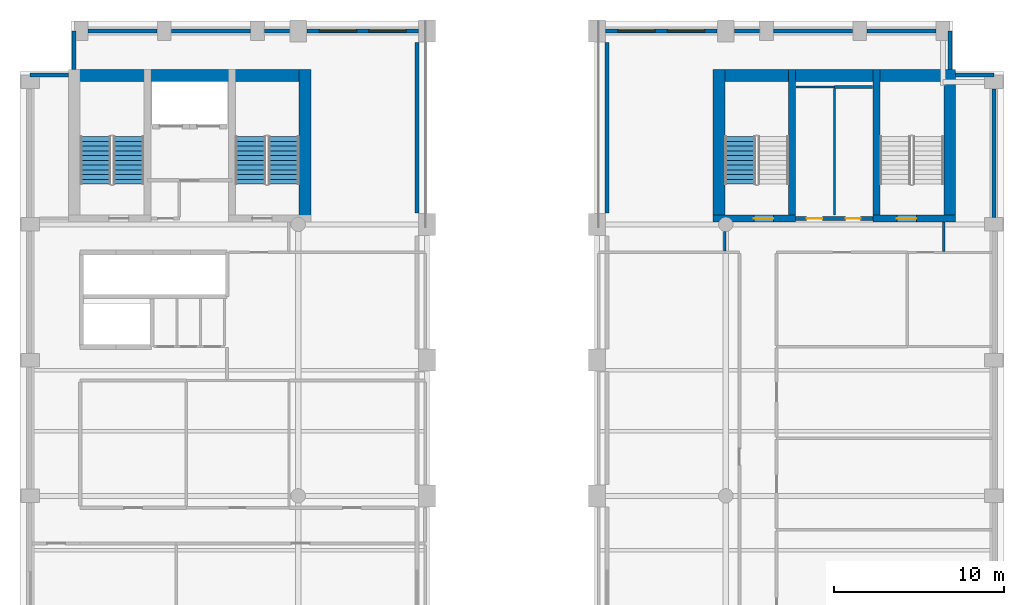
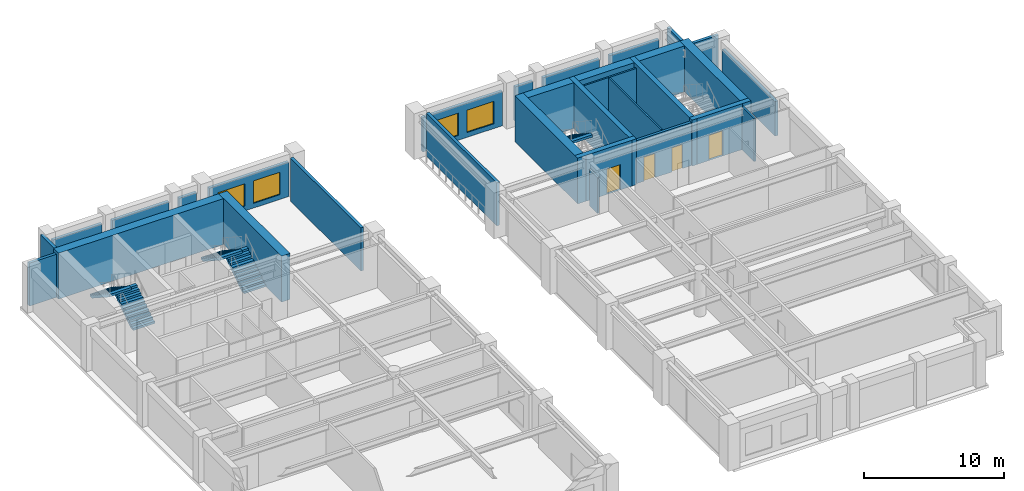
# One storey, part 5 of 8: 30 walls, 5 stair flights, 4 doors, 4 windows, 8 openings, 3 elements without a shape of their own.
"""IFC4 building model written with IfcOpenShell, lengths in metres."""

from ifc_helpers import new_model, si_unit, direction, frame, frame_2d, origin, place, context, subcontext, project, spatial, polyline, rectangle, outline, extrude, material, layer, layer_set, type_object, element, fill, aggregate, save


model = new_model("IFC4")

# Units and contexts
model_context = context("Model", 3, precision=1e-05, world=origin(), true_north=direction((0.0, 1.0)))
body_context = subcontext(model_context, "Body", "Model", "MODEL_VIEW")
ifc_project = project(units=[si_unit("LENGTHUNIT", "METRE"), si_unit("AREAUNIT", "SQUARE_METRE"), si_unit("VOLUMEUNIT", "CUBIC_METRE"), si_unit("PLANEANGLEUNIT", "RADIAN"), si_unit("MASSUNIT", "GRAM", prefix="KILO")], contexts=[model_context])

# Site, building, storey
site_placement = place(None, origin())
site = spatial("IfcSite", under=ifc_project, at=site_placement, CompositionType="ELEMENT")
building_placement = place(site_placement, origin())
building = spatial("IfcBuilding", under=site, at=building_placement, Name="Sulina Concourse Tower", CompositionType="ELEMENT")
storey_placement = place(building_placement, frame((0.0, 0.0, 186.60009765625)))
storey = spatial("IfcBuildingStorey", under=building, at=storey_placement, Name="L45", CompositionType="ELEMENT", Elevation=186.60009765625)

# Walls
ifc_material_1 = material(Name="Precast concrete C50/60", Category="concrete")
ifc_layer_1 = layer(ifc_material_1, 0.239990234375)
ifc_layer_set_1 = layer_set([ifc_layer_1], Name="Precast concrete C50/60")
wall_type_1 = type_object("IfcWallType", Name="Crown Precast Masonry-Frame Facade Wall 240mm", PredefinedType="SOLIDWALL", material=ifc_layer_set_1)
wall_1_placement = place(storey_placement, frame((4.02001953125, 45.39990234375, 0.0), z_axis=(0.0, 0.0, 1.0), x_axis=(1.0, 0.0, 0.0)))
element("IfcWall", 1, at=wall_1_placement, inside=storey, type_object=wall_type_1, Name="L45 exterior precast wall N1", PredefinedType="SOLIDWALL", context=body_context, shape_type="SweptSolid", body=[
    extrude(rectangle(XDim=4.06005859375, YDim=0.239990234375, at=frame_2d((2.030029296875, 0.0))), origin(), (0.0, 0.0, 1.0), 3.0),
])
wall_2_placement = place(storey_placement, frame((8.919921875, 45.39990234375, 0.0), z_axis=(0.0, 0.0, 1.0), x_axis=(1.0, 0.0, 0.0)))
element("IfcWall", 2, at=wall_2_placement, inside=storey, type_object=wall_type_1, Name="L45 exterior precast wall N2", PredefinedType="SOLIDWALL", context=body_context, shape_type="SweptSolid", body=[
    extrude(rectangle(XDim=4.66015625, YDim=0.239990234375, at=frame_2d((2.330078125, 0.0))), origin(), (0.0, 0.0, 1.0), 3.0),
])
wall_3_placement = place(storey_placement, frame((14.419921875, 45.39990234375, 0.0), z_axis=(0.0, 0.0, 1.0), x_axis=(1.0, 0.0, 0.0)))
element("IfcWall", 3, at=wall_3_placement, inside=storey, type_object=wall_type_1, Name="L45 exterior precast wall N3", PredefinedType="SOLIDWALL", context=body_context, shape_type="SweptSolid", body=[
    extrude(rectangle(XDim=1.4599609375, YDim=0.239990234375, at=frame_2d((0.72998046875, 0.0))), origin(), (0.0, 0.0, 1.0), 3.0),
])

# Wall, openings, windows
wall_4_placement = place(storey_placement, frame((16.919921875, 45.39990234375, 0.0), z_axis=(0.0, 0.0, 1.0), x_axis=(1.0, 0.0, 0.0)))
wall_4 = element("IfcWall", 4, at=wall_4_placement, inside=storey, type_object=wall_type_1, Name="L45 exterior precast wall N4", PredefinedType="SOLIDWALL", context=body_context, shape_type="SweptSolid", body=[
    extrude(rectangle(XDim=6.56005859375, YDim=0.239990234375, at=frame_2d((3.280029296875, 0.0))), origin(), (0.0, 0.0, 1.0), 3.0),
])
opening_1_placement = place(wall_4_placement, frame((0.719970703125, 0.0, 0.419921875)))
opening_1 = element("IfcOpeningElement", 5, at=opening_1_placement, cuts=wall_4, Name="Opening WN-76", PredefinedType="OPENING", context=body_context, shape_type="SweptSolid", body=[
    extrude(rectangle(XDim=2.199951171875, YDim=1.949951171875, at=frame_2d((1.10009765625, 0.97509765625))), frame((0.0, 0.1298828125, 0.0), z_axis=(0.0, -1.0, 0.0), x_axis=(1.0, 0.0, 0.0)), (0.0, 0.0, 1.0), 0.260009765625),
])
opening_2_placement = place(wall_4_placement, frame((3.639892578125, 0.0, 0.419921875)))
opening_2 = element("IfcOpeningElement", 6, at=opening_2_placement, cuts=wall_4, Name="Opening WN-76", PredefinedType="OPENING", context=body_context, shape_type="SweptSolid", body=[
    extrude(rectangle(XDim=2.199951171875, YDim=1.949951171875, at=frame_2d((1.10009765625, 0.97509765625))), frame((0.0, 0.1298828125, 0.0), z_axis=(0.0, -1.0, 0.0), x_axis=(1.0, 0.0, 0.0)), (0.0, 0.0, 1.0), 0.260009765625),
])
ifc_material_2 = material(Name="Low-E solar double glazing in bronze aluminium", Category="aluminium")
window_type = type_object("IfcWindowType", Name="Recessed Spandrel Window 2200x1950", PartitioningType="DOUBLE_PANEL_VERTICAL", PredefinedType="WINDOW", material=ifc_material_2)
window_1_placement = place(opening_1_placement, origin())
window_1 = element("IfcWindow", 7, at=window_1_placement, inside=storey, type_object=window_type, Name="L45 punched window N4-1", OverallHeight=1.949951171875, OverallWidth=2.199951171875, PartitioningType="SINGLE_PANEL", PredefinedType="WINDOW", context=body_context, shape_type="SweptSolid", body=[
    extrude(rectangle(XDim=2.199951171875, YDim=1.949951171875, at=frame_2d((1.10009765625, 0.97509765625))), frame((0.0, 0.030029296875, 0.0), z_axis=(0.0, -1.0, 0.0), x_axis=(1.0, 0.0, 0.0)), (0.0, 0.0, 1.0), 0.06005859375),
])
fill(opening_1, window_1)
window_2_placement = place(opening_2_placement, origin())
window_2 = element("IfcWindow", 8, at=window_2_placement, inside=storey, type_object=window_type, Name="L45 punched window N4-2", OverallHeight=1.949951171875, OverallWidth=2.199951171875, PartitioningType="SINGLE_PANEL", PredefinedType="WINDOW", context=body_context, shape_type="SweptSolid", body=[
    extrude(rectangle(XDim=2.199951171875, YDim=1.949951171875, at=frame_2d((1.10009765625, 0.97509765625))), frame((0.0, 0.030029296875, 0.0), z_axis=(0.0, -1.0, 0.0), x_axis=(1.0, 0.0, 0.0)), (0.0, 0.0, 1.0), 0.06005859375),
])
fill(opening_2, window_2)

wall_5_placement = place(storey_placement, frame((34.52001953125, 45.39990234375, 0.0), z_axis=(0.0, 0.0, 1.0), x_axis=(1.0, 0.0, 0.0)))
wall_5 = element("IfcWall", 9, at=wall_5_placement, inside=storey, type_object=wall_type_1, Name="L45 exterior precast wall N6", PredefinedType="SOLIDWALL", context=body_context, shape_type="SweptSolid", body=[
    extrude(rectangle(XDim=6.56005859375, YDim=0.239990234375, at=frame_2d((3.280029296875, 0.0))), origin(), (0.0, 0.0, 1.0), 3.0),
])
opening_3_placement = place(wall_5_placement, frame((0.719970703125, 0.0, 0.419921875)))
opening_3 = element("IfcOpeningElement", 10, at=opening_3_placement, cuts=wall_5, Name="Opening WN-76", PredefinedType="OPENING", context=body_context, shape_type="SweptSolid", body=[
    extrude(rectangle(XDim=2.199951171875, YDim=1.949951171875, at=frame_2d((1.10009765625, 0.97509765625))), frame((0.0, 0.1298828125, 0.0), z_axis=(0.0, -1.0, 0.0), x_axis=(1.0, 0.0, 0.0)), (0.0, 0.0, 1.0), 0.260009765625),
])
opening_4_placement = place(wall_5_placement, frame((3.639892578125, 0.0, 0.419921875)))
opening_4 = element("IfcOpeningElement", 11, at=opening_4_placement, cuts=wall_5, Name="Opening WN-76", PredefinedType="OPENING", context=body_context, shape_type="SweptSolid", body=[
    extrude(rectangle(XDim=2.199951171875, YDim=1.949951171875, at=frame_2d((1.10009765625, 0.97509765625))), frame((0.0, 0.1298828125, 0.0), z_axis=(0.0, -1.0, 0.0), x_axis=(1.0, 0.0, 0.0)), (0.0, 0.0, 1.0), 0.260009765625),
])
window_3_placement = place(opening_3_placement, origin())
window_3 = element("IfcWindow", 12, at=window_3_placement, inside=storey, type_object=window_type, Name="L45 punched window N6-1", OverallHeight=1.949951171875, OverallWidth=2.199951171875, PartitioningType="SINGLE_PANEL", PredefinedType="WINDOW", context=body_context, shape_type="SweptSolid", body=[
    extrude(rectangle(XDim=2.199951171875, YDim=1.949951171875, at=frame_2d((1.10009765625, 0.97509765625))), frame((0.0, 0.030029296875, 0.0), z_axis=(0.0, -1.0, 0.0), x_axis=(1.0, 0.0, 0.0)), (0.0, 0.0, 1.0), 0.06005859375),
])
fill(opening_3, window_3)
window_4_placement = place(opening_4_placement, origin())
window_4 = element("IfcWindow", 13, at=window_4_placement, inside=storey, type_object=window_type, Name="L45 punched window N6-2", OverallHeight=1.949951171875, OverallWidth=2.199951171875, PartitioningType="SINGLE_PANEL", PredefinedType="WINDOW", context=body_context, shape_type="SweptSolid", body=[
    extrude(rectangle(XDim=2.199951171875, YDim=1.949951171875, at=frame_2d((1.10009765625, 0.97509765625))), frame((0.0, 0.030029296875, 0.0), z_axis=(0.0, -1.0, 0.0), x_axis=(1.0, 0.0, 0.0)), (0.0, 0.0, 1.0), 0.06005859375),
])
fill(opening_4, window_4)

# Walls
wall_6_placement = place(storey_placement, frame((42.1201171875, 45.39990234375, 0.0), z_axis=(0.0, 0.0, 1.0), x_axis=(1.0, 0.0, 0.0)))
element("IfcWall", 14, at=wall_6_placement, inside=storey, type_object=wall_type_1, Name="L45 exterior precast wall N7", PredefinedType="SOLIDWALL", context=body_context, shape_type="SweptSolid", body=[
    extrude(rectangle(XDim=1.4599609375, YDim=0.239990234375, at=frame_2d((0.72998046875, 0.0))), origin(), (0.0, 0.0, 1.0), 3.0),
])
wall_7_placement = place(storey_placement, frame((44.419921875, 45.39990234375, 0.0), z_axis=(0.0, 0.0, 1.0), x_axis=(1.0, 0.0, 0.0)))
element("IfcWall", 15, at=wall_7_placement, inside=storey, type_object=wall_type_1, Name="L45 exterior precast wall N8", PredefinedType="SOLIDWALL", context=body_context, shape_type="SweptSolid", body=[
    extrude(rectangle(XDim=4.66015625, YDim=0.239990234375, at=frame_2d((2.330078125, 0.0))), origin(), (0.0, 0.0, 1.0), 3.0),
])
wall_8_placement = place(storey_placement, frame((49.919921875, 45.39990234375, 0.0), z_axis=(0.0, 0.0, 1.0), x_axis=(1.0, 0.0, 0.0)))
element("IfcWall", 16, at=wall_8_placement, inside=storey, type_object=wall_type_1, Name="L45 exterior precast wall N9", PredefinedType="SOLIDWALL", context=body_context, shape_type="SweptSolid", body=[
    extrude(rectangle(XDim=4.06005859375, YDim=0.239990234375, at=frame_2d((2.030029296875, 0.0))), origin(), (0.0, 0.0, 1.0), 3.0),
])
wall_9_placement = place(storey_placement, frame((57.39990234375, 41.97998046875, 0.0), z_axis=(0.0, 0.0, 1.0), x_axis=(0.0, -1.0, 0.0)))
element("IfcWall", 17, at=wall_9_placement, inside=storey, type_object=wall_type_1, Name="L45 exterior precast wall E5", PredefinedType="SOLIDWALL", context=body_context, shape_type="SweptSolid", body=[
    extrude(rectangle(XDim=7.56005859375, YDim=0.239990234375, at=frame_2d((3.780029296875, 0.0))), origin(), (0.0, 0.0, 1.0), 3.0),
])
wall_10_placement = place(storey_placement, frame((0.60009765625, 42.820068359375, 0.0), z_axis=(0.0, 0.0, 1.0), x_axis=(1.0, 0.0, 0.0)))
element("IfcWall", 18, at=wall_10_placement, inside=storey, type_object=wall_type_1, Name="L45 exterior precast wall CNW1", PredefinedType="SOLIDWALL", context=body_context, shape_type="SweptSolid", body=[
    extrude(rectangle(XDim=2.244873046875, YDim=0.239990234375, at=frame_2d((1.12255859375, 0.0))), origin(), (0.0, 0.0, 1.0), 3.75),
])
for number, where, z_axis, x_axis, name in (
    (19, (3.179931640625, 43.135009765625, 0.0), (0.0, 0.0, 1.0), (0.0, 1.0, 0.0), "L45 exterior precast wall CNW2"),
    (20, (54.820068359375, 45.39990234375, 0.0), (0.0, 0.0, 1.0), (0.0, -1.0, 0.0), "L45 exterior precast wall CNE1"),
):
    element("IfcWall", number, at=place(storey_placement, frame(where, z_axis=z_axis, x_axis=x_axis)), inside=storey, type_object=wall_type_1, Name=name, PredefinedType="SOLIDWALL", context=body_context, shape_type="SweptSolid", body=[
        extrude(rectangle(XDim=2.264892578125, YDim=0.239990234375, at=frame_2d((1.13232421875, 0.0))), origin(), (0.0, 0.0, 1.0), 3.75),
    ])
wall_11_placement = place(storey_placement, frame((55.155029296875, 42.820068359375, 0.0), z_axis=(0.0, 0.0, 1.0), x_axis=(1.0, 0.0, 0.0)))
element("IfcWall", 21, at=wall_11_placement, inside=storey, type_object=wall_type_1, Name="L45 exterior precast wall CNE2", PredefinedType="SOLIDWALL", context=body_context, shape_type="SweptSolid", body=[
    extrude(rectangle(XDim=2.244873046875, YDim=0.239990234375, at=frame_2d((1.12255859375, 0.0))), origin(), (0.0, 0.0, 1.0), 3.75),
])
for number, where, z_axis, x_axis, name in (
    (22, (23.39990234375, 44.72998046875, 0.0), (0.0, 0.0, 1.0), (0.0, -1.0, 0.0), "L45 exterior precast wall PW5"),
    (23, (34.60009765625, 34.669921875, 0.0), (0.0, 0.0, 1.0), (0.0, 1.0, 0.0), "L45 exterior precast wall PE5"),
):
    element("IfcWall", number, at=place(storey_placement, frame(where, z_axis=z_axis, x_axis=x_axis)), inside=storey, type_object=wall_type_1, Name=name, PredefinedType="SOLIDWALL", context=body_context, shape_type="SweptSolid", body=[
        extrude(rectangle(XDim=10.06005859375, YDim=0.239990234375, at=frame_2d((5.030029296875, 0.0))), origin(), (0.0, 0.0, 1.0), 3.75),
    ])

# Wall, openings, doors
ifc_material_3 = material(Name="Gypsum board on steel stud", Category="steel")
ifc_layer_2 = layer(ifc_material_3, 0.219970703125)
ifc_layer_set_2 = layer_set([ifc_layer_2], Name="Gypsum board on steel stud")
wall_type_2 = type_object("IfcWallType", Name="Fire-Rated Lobby & Compartment Wall 220mm", PredefinedType="PARTITIONING", material=ifc_layer_set_2)
wall_12_placement = place(storey_placement, frame((45.719970703125, 34.35009765625, 0.0), z_axis=(0.0, 0.0, 1.0), x_axis=(1.0, 0.0, 0.0)))
wall_12 = element("IfcWall", 24, at=wall_12_placement, inside=storey, type_object=wall_type_2, Name="L45 east core south lobby wall", PredefinedType="PARTITIONING", context=body_context, shape_type="SweptSolid", body=[
    extrude(rectangle(XDim=4.56005859375, YDim=0.219970703125, at=frame_2d((2.280029296875, 0.0))), origin(), (0.0, 0.0, 1.0), 3.75),
])
opening_5_placement = place(wall_12_placement, frame((0.64990234375, 0.0, 0.0)))
opening_5 = element("IfcOpeningElement", 25, at=opening_5_placement, cuts=wall_12, Name="Opening DR-61", PredefinedType="OPENING", context=body_context, shape_type="SweptSolid", body=[
    extrude(rectangle(XDim=0.919921875, YDim=2.10009765625, at=frame_2d((0.4599609375, 1.050048828125))), frame((0.0, 0.119873046875, 0.0), z_axis=(0.0, -1.0, 0.0), x_axis=(1.0, 0.0, 0.0)), (0.0, 0.0, 1.0), 0.239990234375),
])
opening_6_placement = place(wall_12_placement, frame((2.949951171875, 0.0, 0.0)))
opening_6 = element("IfcOpeningElement", 26, at=opening_6_placement, cuts=wall_12, Name="Opening DR-38", PredefinedType="OPENING", context=body_context, shape_type="SweptSolid", body=[
    extrude(rectangle(XDim=0.8798828125, YDim=2.10009765625, at=frame_2d((0.43994140625, 1.050048828125))), frame((0.0, 0.119873046875, 0.0), z_axis=(0.0, -1.0, 0.0), x_axis=(1.0, 0.0, 0.0)), (0.0, 0.0, 1.0), 0.239990234375),
])
ifc_material_4 = material(Name="Oak-veneered fire door leaf")
ifc_layer_3 = layer(ifc_material_4, 0.050048828125)
ifc_layer_set_3 = layer_set([ifc_layer_3], Name="Oak-veneered fire door leaf")
door_type_1 = type_object("IfcDoorType", Name="Accessible WC Door 920x2100", OperationType="NOTDEFINED", PredefinedType="DOOR", material=ifc_layer_set_3)
door_1_placement = place(opening_5_placement, origin())
door_1 = element("IfcDoor", 27, at=door_1_placement, inside=storey, type_object=door_type_1, Name="L45 east core accessible wc door", OperationType="SINGLE_SWING_RIGHT", OverallHeight=2.10009765625, OverallWidth=0.919921875, PredefinedType="DOOR", context=body_context, shape_type="SweptSolid", body=[
    extrude(rectangle(XDim=0.919921875, YDim=2.10009765625, at=frame_2d((0.4599609375, 1.050048828125))), frame((0.0, 0.02490234375, 0.0), z_axis=(0.0, -1.0, 0.0), x_axis=(1.0, 0.0, 0.0)), (0.0, 0.0, 1.0), 0.050048828125),
])
fill(opening_5, door_1)
ifc_material_5 = material(Name="Galvanised steel acoustic fire leaf", Category="steel")
ifc_layer_4 = layer(ifc_material_5, 0.050048828125)
ifc_layer_set_4 = layer_set([ifc_layer_4], Name="Galvanised steel acoustic fire leaf")
door_type_2 = type_object("IfcDoorType", Name="Service Riser Fire Door 880x2100", OperationType="NOTDEFINED", PredefinedType="DOOR", material=ifc_layer_set_4)
door_2_placement = place(opening_6_placement, origin())
door_2 = element("IfcDoor", 28, at=door_2_placement, inside=storey, type_object=door_type_2, Name="L45 east core store door", OperationType="SINGLE_SWING_LEFT", OverallHeight=2.10009765625, OverallWidth=0.8798828125, PredefinedType="DOOR", context=body_context, shape_type="SweptSolid", body=[
    extrude(rectangle(XDim=0.8798828125, YDim=2.10009765625, at=frame_2d((0.43994140625, 1.050048828125))), frame((0.0, 0.02490234375, 0.0), z_axis=(0.0, -1.0, 0.0), x_axis=(1.0, 0.0, 0.0)), (0.0, 0.0, 1.0), 0.050048828125),
])
fill(opening_6, door_2)

# Walls
ifc_material_6 = material(Name="Gypsum board on steel stud", Category="steel")
ifc_layer_5 = layer(ifc_material_6, 0.14990234375)
ifc_layer_set_5 = layer_set([ifc_layer_5], Name="Gypsum board on steel stud")
wall_type_3 = type_object("IfcWallType", Name="Inter-Tenancy Acoustic Partition 150mm", PredefinedType="PARTITIONING", material=ifc_layer_set_5)
wall_13_placement = place(storey_placement, frame((48.0, 42.10009765625, 0.0), z_axis=(0.0, 0.0, 1.0), x_axis=(1.0, 0.0, 0.0)))
element("IfcWall", 29, at=wall_13_placement, inside=storey, type_object=wall_type_3, Name="L45 interior partition 031", PredefinedType="PARTITIONING", context=body_context, shape_type="SweptSolid", body=[
    extrude(rectangle(XDim=2.25, YDim=0.14990234375, at=frame_2d((1.125, 0.0))), origin(), (0.0, 0.0, 1.0), 3.75),
])
wall_14_placement = place(storey_placement, frame((41.550048828125, 32.425048828125, 0.0), z_axis=(0.0, 0.0, 1.0), x_axis=(0.0, 1.0, 0.0)))
element("IfcWall", 30, at=wall_14_placement, inside=storey, type_object=wall_type_3, Name="L45 interior partition 052", PredefinedType="PARTITIONING", context=body_context, shape_type="SweptSolid", body=[
    extrude(rectangle(XDim=1.14990234375, YDim=0.14990234375, at=frame_2d((0.574951171875, 0.0))), origin(), (0.0, 0.0, 1.0), 3.14501953125),
])
wall_15_placement = place(storey_placement, frame((54.449951171875, 32.41259765625, 0.0), z_axis=(0.0, 0.0, 1.0), x_axis=(0.0, 1.0, 0.0)))
element("IfcWall", 31, at=wall_15_placement, inside=storey, type_object=wall_type_3, Name="L45 interior partition 060", PredefinedType="PARTITIONING", context=body_context, shape_type="SweptSolid", body=[
    extrude(rectangle(XDim=1.7373046875, YDim=0.14990234375, at=frame_2d((0.86865234375, 0.0))), origin(), (0.0, 0.0, 1.0), 3.75),
])

# Wall, opening, door
ifc_material_7 = material(Name="Concrete C60/75", Category="concrete")
ifc_layer_6 = layer(ifc_material_7, 0.39990234375)
ifc_layer_set_6 = layer_set([ifc_layer_6], Name="Concrete C60/75")
wall_type_4 = type_object("IfcWallType", Name="Protected Stair Core Shear Wall 400mm", PredefinedType="SHEAR", material=ifc_layer_set_6)
wall_16_placement = place(storey_placement, frame((40.85009765625, 34.35009765625, 0.0), z_axis=(0.0, 0.0, 1.0), x_axis=(1.0, 0.0, 0.0)))
wall_16 = element("IfcWall", 32, at=wall_16_placement, inside=storey, type_object=wall_type_4, Name="L45 east core shear wall CW-ES1", PredefinedType="SHEAR", context=body_context, shape_type="SweptSolid", body=[
    extrude(rectangle(XDim=4.85986328125, YDim=0.39990234375, at=frame_2d((2.429931640625, 0.0))), origin(), (0.0, 0.0, 1.0), 4.0),
])
opening_7_placement = place(wall_16_placement, frame((2.39990234375, 0.0, 0.0)))
opening_7 = element("IfcOpeningElement", 33, at=opening_7_placement, cuts=wall_16, Name="Opening DR-60", PredefinedType="OPENING", context=body_context, shape_type="SweptSolid", body=[
    extrude(rectangle(XDim=1.14990234375, YDim=2.199951171875, at=frame_2d((0.574951171875, 1.10009765625))), frame((0.0, 0.2099609375, 0.0), z_axis=(0.0, -1.0, 0.0), x_axis=(1.0, 0.0, 0.0)), (0.0, 0.0, 1.0), 0.419921875),
])
ifc_material_8 = material(Name="Galvanised steel acoustic fire leaf", Category="steel")
ifc_layer_7 = layer(ifc_material_8, 0.054931640625)
ifc_layer_set_7 = layer_set([ifc_layer_7], Name="Galvanised steel acoustic fire leaf")
door_type_3 = type_object("IfcDoorType", Name="Protected Exit Stair Fire Door 1150x2200", OperationType="NOTDEFINED", PredefinedType="DOOR", material=ifc_layer_set_7)
door_3_placement = place(opening_7_placement, origin())
door_3 = element("IfcDoor", 34, at=door_3_placement, inside=storey, type_object=door_type_3, Name="L45 stair ST-3 south lobby fire door", OperationType="SINGLE_SWING_LEFT", OverallHeight=2.199951171875, OverallWidth=1.14990234375, PredefinedType="DOOR", context=body_context, shape_type="SweptSolid", body=[
    extrude(rectangle(XDim=1.14990234375, YDim=2.199951171875, at=frame_2d((0.574951171875, 1.10009765625))), frame((0.0, 0.02490234375, 0.0), z_axis=(0.0, -1.0, 0.0), x_axis=(1.0, 0.0, 0.0)), (0.0, 0.0, 1.0), 0.050048828125),
])
fill(opening_7, door_3)

# Wall
wall_17_placement = place(storey_placement, frame((45.510009765625, 34.14990234375, 0.0), z_axis=(0.0, 0.0, 1.0), x_axis=(0.0, 1.0, 0.0)))
element("IfcWall", 35, at=wall_17_placement, inside=storey, type_object=wall_type_4, Name="L45 east core shear wall SW-ST3", PredefinedType="SHEAR", context=body_context, shape_type="SweptSolid", body=[
    extrude(rectangle(XDim=8.97998046875, YDim=0.39990234375, at=frame_2d((4.489990234375, 0.0))), origin(), (0.0, 0.0, 1.0), 4.0),
])

# Wall, opening, door
wall_18_placement = place(storey_placement, frame((50.2900390625, 34.35009765625, 0.0), z_axis=(0.0, 0.0, 1.0), x_axis=(1.0, 0.0, 0.0)))
wall_18 = element("IfcWall", 36, at=wall_18_placement, inside=storey, type_object=wall_type_4, Name="L45 east core shear wall CW-ES2", PredefinedType="SHEAR", context=body_context, shape_type="SweptSolid", body=[
    extrude(rectangle(XDim=4.85986328125, YDim=0.39990234375, at=frame_2d((2.429931640625, 0.0))), origin(), (0.0, 0.0, 1.0), 4.0),
])
opening_8_placement = place(wall_18_placement, frame((1.39990234375, 0.0, 0.0)))
opening_8 = element("IfcOpeningElement", 37, at=opening_8_placement, cuts=wall_18, Name="Opening DR-60", PredefinedType="OPENING", context=body_context, shape_type="SweptSolid", body=[
    extrude(rectangle(XDim=1.14990234375, YDim=2.199951171875, at=frame_2d((0.574951171875, 1.10009765625))), frame((0.0, 0.2099609375, 0.0), z_axis=(0.0, -1.0, 0.0), x_axis=(1.0, 0.0, 0.0)), (0.0, 0.0, 1.0), 0.419921875),
])
door_4_placement = place(opening_8_placement, origin())
door_4 = element("IfcDoor", 38, at=door_4_placement, inside=storey, type_object=door_type_3, Name="L45 stair ST-4 south lobby fire door", OperationType="SINGLE_SWING_RIGHT", OverallHeight=2.199951171875, OverallWidth=1.14990234375, PredefinedType="DOOR", context=body_context, shape_type="SweptSolid", body=[
    extrude(rectangle(XDim=1.14990234375, YDim=2.199951171875, at=frame_2d((0.574951171875, 1.10009765625))), frame((0.0, 0.02490234375, 0.0), z_axis=(0.0, -1.0, 0.0), x_axis=(1.0, 0.0, 0.0)), (0.0, 0.0, 1.0), 0.050048828125),
])
fill(opening_8, door_4)

# Walls
wall_19_placement = place(storey_placement, frame((50.489990234375, 34.14990234375, 0.0), z_axis=(0.0, 0.0, 1.0), x_axis=(0.0, 1.0, 0.0)))
element("IfcWall", 39, at=wall_19_placement, inside=storey, type_object=wall_type_4, Name="L45 east core shear wall SW-ST4", PredefinedType="SHEAR", context=body_context, shape_type="SweptSolid", body=[
    extrude(rectangle(XDim=8.97998046875, YDim=0.39990234375, at=frame_2d((4.489990234375, 0.0))), origin(), (0.0, 0.0, 1.0), 4.0),
])
ifc_material_9 = material(Name="Concrete C60/75", Category="concrete")
ifc_layer_8 = layer(ifc_material_9, 0.699951171875)
ifc_layer_set_8 = layer_set([ifc_layer_8], Name="Concrete C60/75")
wall_type_5 = type_object("IfcWallType", Name="Rear Core Shear Wall 700mm", PredefinedType="SHEAR", material=ifc_layer_set_8)
wall_20_placement = place(storey_placement, frame((2.85009765625, 42.780029296875, 0.0), z_axis=(0.0, 0.0, 1.0), x_axis=(1.0, 0.0, 0.0)))
element("IfcWall", 40, at=wall_20_placement, inside=storey, type_object=wall_type_5, Name="L45 west core shear wall CW-WN", PredefinedType="SHEAR", context=body_context, shape_type="SweptSolid", body=[
    extrude(rectangle(XDim=14.2998046875, YDim=0.699951171875, at=frame_2d((7.14990234375, 0.0))), origin(), (0.0, 0.0, 1.0), 4.0),
])
wall_21_placement = place(storey_placement, frame((16.800048828125, 34.14990234375, 0.0), z_axis=(0.0, 0.0, 1.0), x_axis=(0.0, 1.0, 0.0)))
element("IfcWall", 41, at=wall_21_placement, inside=storey, type_object=wall_type_5, Name="L45 west core shear wall CW-WE", PredefinedType="SHEAR", context=body_context, shape_type="SweptSolid", body=[
    extrude(rectangle(XDim=8.97998046875, YDim=0.699951171875, at=frame_2d((4.489990234375, 0.0))), origin(), (0.0, 0.0, 1.0), 4.0),
])
wall_22_placement = place(storey_placement, frame((40.85009765625, 42.780029296875, 0.0), z_axis=(0.0, 0.0, 1.0), x_axis=(1.0, 0.0, 0.0)))
element("IfcWall", 42, at=wall_22_placement, inside=storey, type_object=wall_type_5, Name="L45 east core shear wall CW-EN", PredefinedType="SHEAR", context=body_context, shape_type="SweptSolid", body=[
    extrude(rectangle(XDim=14.2998046875, YDim=0.699951171875, at=frame_2d((7.14990234375, 0.0))), origin(), (0.0, 0.0, 1.0), 4.0),
])
for number, where, z_axis, x_axis, name in (
    (43, (41.199951171875, 34.14990234375, 0.0), (0.0, 0.0, 1.0), (0.0, 1.0, 0.0), "L45 east core shear wall CW-EW"),
    (44, (54.800048828125, 34.14990234375, 0.0), (0.0, 0.0, 1.0), (0.0, 1.0, 0.0), "L45 east core shear wall CW-EE"),
):
    element("IfcWall", number, at=place(storey_placement, frame(where, z_axis=z_axis, x_axis=x_axis)), inside=storey, type_object=wall_type_5, Name=name, PredefinedType="SHEAR", context=body_context, shape_type="SweptSolid", body=[
        extrude(rectangle(XDim=8.97998046875, YDim=0.699951171875, at=frame_2d((4.489990234375, 0.0))), origin(), (0.0, 0.0, 1.0), 4.0),
    ])
ifc_material_10 = material(Name="Gypsum board on steel stud", Category="steel")
ifc_layer_9 = layer(ifc_material_10, 0.125)
ifc_layer_set_9 = layer_set([ifc_layer_9], Name="Gypsum board on steel stud")
wall_type_6 = type_object("IfcWallType", Name="Wet-Area Moisture-Resistant Partition 125mm", PredefinedType="PARTITIONING", material=ifc_layer_set_9)
wall_23_placement = place(storey_placement, frame((45.75, 42.10009765625, 0.0), z_axis=(0.0, 0.0, 1.0), x_axis=(1.0, 0.0, 0.0)))
element("IfcWall", 45, at=wall_23_placement, inside=storey, type_object=wall_type_6, Name="L45 interior partition 030", PredefinedType="PARTITIONING", context=body_context, shape_type="SweptSolid", body=[
    extrude(rectangle(XDim=2.25, YDim=0.125, at=frame_2d((1.125, 0.0))), origin(), (0.0, 0.0, 1.0), 3.75),
])
wall_24_placement = place(storey_placement, frame((48.0, 34.550048828125, 0.0), z_axis=(0.0, 0.0, 1.0), x_axis=(0.0, 1.0, 0.0)))
element("IfcWall", 46, at=wall_24_placement, inside=storey, type_object=wall_type_6, Name="L45 interior partition 058", PredefinedType="PARTITIONING", context=body_context, shape_type="SweptSolid", body=[
    extrude(rectangle(XDim=7.474853515625, YDim=0.125, at=frame_2d((3.7373046875, 0.0))), origin(), (0.0, 0.0, 1.0), 3.75),
])

# Stair, stair flight
ifc_material_11 = material(Name="Concrete C50/60", Category="concrete")
stair_type_1 = type_object("IfcStairType", Name="Portal & Podium Core Exit Stair 1820mm", PredefinedType="HALF_TURN_STAIR", material=ifc_material_11)
stair_1_placement = place(storey_placement, origin())
stair_1 = element("IfcStair", 47, at=stair_1_placement, inside=storey, type_object=stair_type_1, Name="L45 ST-3", PredefinedType="HALF_TURN_STAIR")
ifc_material_12 = material(Name="Concrete C50/60", Category="concrete")
stair_flight_type_1 = type_object("IfcStairFlightType", Name="Portal & Podium Core Exit Stair 1820mm Flight", PredefinedType="STRAIGHT", material=ifc_material_12)
stair_flight_1_placement = place(storey_placement, frame((42.455078125, 39.175048828125, 2.0), z_axis=(0.0, 0.0, 1.0), x_axis=(0.0, -1.0, 0.0)))
stair_flight_1 = element("IfcStairFlight", 48, at=stair_flight_1_placement, type_object=stair_flight_type_1, Name="ST-3 flight 2", NumberOfRisers=11, NumberOfTreads=10, PredefinedType="STRAIGHT", RiserHeight=0.181818182, TreadLength=0.28, context=body_context, shape_type="SweptSolid", body=[
    extrude(outline(polyline([(0.0, 0.0), (0.0, 0.181884765625), (0.280029296875, 0.181884765625), (0.280029296875, 0.363525390625), (0.56005859375, 0.363525390625), (0.56005859375, 0.54541015625), (0.840087890625, 0.54541015625), (0.840087890625, 0.727294921875), (1.1201171875, 0.727294921875), (1.1201171875, 0.9091796875), (1.39990234375, 0.9091796875), (1.39990234375, 1.0908203125), (1.679931640625, 1.0908203125), (1.679931640625, 1.272705078125), (1.9599609375, 1.272705078125), (1.9599609375, 1.45458984375), (2.239990234375, 1.45458984375), (2.239990234375, 1.636474609375), (2.52001953125, 1.636474609375), (2.52001953125, 1.818115234375), (2.800048828125, 1.818115234375), (2.800048828125, 2.0), (2.800048828125, 1.603759765625), (0.330322265625, 0.0), (0.0, 0.0)])), frame((0.0, 0.89990234375, 0.0), z_axis=(0.0, -1.0, 0.0), x_axis=(1.0, 0.0, 0.0)), (0.0, 0.0, 1.0), 1.800048828125),
])
aggregate(stair_1, [stair_flight_1])

# Stair, stair flights
ifc_material_13 = material(Name="Concrete C50/60", Category="concrete")
stair_type_2 = type_object("IfcStairType", Name="Primary Core Dog-Leg Exit Stair 1800mm", PredefinedType="HALF_TURN_STAIR", material=ifc_material_13)
stair_2_placement = place(storey_placement, origin())
stair_2 = element("IfcStair", 49, at=stair_2_placement, inside=storey, type_object=stair_type_2, Name="L45 ST-1", PredefinedType="HALF_TURN_STAIR")
ifc_material_14 = material(Name="Concrete C50/60", Category="concrete")
stair_flight_type_2 = type_object("IfcStairFlightType", Name="Primary Core Dog-Leg Exit Stair 1800mm Flight", PredefinedType="STRAIGHT", material=ifc_material_14)
stair_flight_2_placement = place(storey_placement, frame((6.405029296875, 36.375, 0.0), z_axis=(0.0, 0.0, 1.0), x_axis=(0.0, 1.0, 0.0)))
stair_flight_2 = element("IfcStairFlight", 50, at=stair_flight_2_placement, type_object=stair_flight_type_2, Name="ST-1 flight 1", NumberOfRisers=11, NumberOfTreads=10, PredefinedType="STRAIGHT", RiserHeight=0.181818182, TreadLength=0.28, context=body_context, shape_type="SweptSolid", body=[
    extrude(outline(polyline([(0.0, 0.0), (0.0, 0.181884765625), (0.280029296875, 0.181884765625), (0.280029296875, 0.363525390625), (0.56005859375, 0.363525390625), (0.56005859375, 0.54541015625), (0.840087890625, 0.54541015625), (0.840087890625, 0.727294921875), (1.1201171875, 0.727294921875), (1.1201171875, 0.9091796875), (1.39990234375, 0.9091796875), (1.39990234375, 1.0908203125), (1.679931640625, 1.0908203125), (1.679931640625, 1.272705078125), (1.9599609375, 1.272705078125), (1.9599609375, 1.45458984375), (2.239990234375, 1.45458984375), (2.239990234375, 1.636474609375), (2.52001953125, 1.636474609375), (2.52001953125, 1.818115234375), (2.800048828125, 1.818115234375), (2.800048828125, 2.0), (2.800048828125, 1.603759765625), (0.330322265625, 0.0), (0.0, 0.0)])), frame((0.0, 0.89990234375, 0.0), z_axis=(0.0, -1.0, 0.0), x_axis=(1.0, 0.0, 0.0)), (0.0, 0.0, 1.0), 1.800048828125),
])
stair_flight_3_placement = place(storey_placement, frame((4.455078125, 39.175048828125, 2.0), z_axis=(0.0, 0.0, 1.0), x_axis=(0.0, -1.0, 0.0)))
stair_flight_3 = element("IfcStairFlight", 51, at=stair_flight_3_placement, type_object=stair_flight_type_2, Name="ST-1 flight 2", NumberOfRisers=11, NumberOfTreads=10, PredefinedType="STRAIGHT", RiserHeight=0.181818182, TreadLength=0.28, context=body_context, shape_type="SweptSolid", body=[
    extrude(outline(polyline([(0.0, 0.0), (0.0, 0.181884765625), (0.280029296875, 0.181884765625), (0.280029296875, 0.363525390625), (0.56005859375, 0.363525390625), (0.56005859375, 0.54541015625), (0.840087890625, 0.54541015625), (0.840087890625, 0.727294921875), (1.1201171875, 0.727294921875), (1.1201171875, 0.9091796875), (1.39990234375, 0.9091796875), (1.39990234375, 1.0908203125), (1.679931640625, 1.0908203125), (1.679931640625, 1.272705078125), (1.9599609375, 1.272705078125), (1.9599609375, 1.45458984375), (2.239990234375, 1.45458984375), (2.239990234375, 1.636474609375), (2.52001953125, 1.636474609375), (2.52001953125, 1.818115234375), (2.800048828125, 1.818115234375), (2.800048828125, 2.0), (2.800048828125, 1.603759765625), (0.330322265625, 0.0), (0.0, 0.0)])), frame((0.0, 0.89990234375, 0.0), z_axis=(0.0, -1.0, 0.0), x_axis=(1.0, 0.0, 0.0)), (0.0, 0.0, 1.0), 1.800048828125),
])
aggregate(stair_2, [stair_flight_2, stair_flight_3])

stair_3_placement = place(storey_placement, origin())
stair_3 = element("IfcStair", 52, at=stair_3_placement, inside=storey, type_object=stair_type_2, Name="L45 ST-2", PredefinedType="HALF_TURN_STAIR")
stair_flight_4_placement = place(storey_placement, frame((15.544921875, 36.375, 0.0), z_axis=(0.0, 0.0, 1.0), x_axis=(0.0, 1.0, 0.0)))
stair_flight_4 = element("IfcStairFlight", 53, at=stair_flight_4_placement, type_object=stair_flight_type_2, Name="ST-2 flight 1", NumberOfRisers=11, NumberOfTreads=10, PredefinedType="STRAIGHT", RiserHeight=0.181818182, TreadLength=0.28, context=body_context, shape_type="SweptSolid", body=[
    extrude(outline(polyline([(0.0, 0.0), (0.0, 0.181884765625), (0.280029296875, 0.181884765625), (0.280029296875, 0.363525390625), (0.56005859375, 0.363525390625), (0.56005859375, 0.54541015625), (0.840087890625, 0.54541015625), (0.840087890625, 0.727294921875), (1.1201171875, 0.727294921875), (1.1201171875, 0.9091796875), (1.39990234375, 0.9091796875), (1.39990234375, 1.0908203125), (1.679931640625, 1.0908203125), (1.679931640625, 1.272705078125), (1.9599609375, 1.272705078125), (1.9599609375, 1.45458984375), (2.239990234375, 1.45458984375), (2.239990234375, 1.636474609375), (2.52001953125, 1.636474609375), (2.52001953125, 1.818115234375), (2.800048828125, 1.818115234375), (2.800048828125, 2.0), (2.800048828125, 1.603759765625), (0.330322265625, 0.0), (0.0, 0.0)])), frame((0.0, 0.89990234375, 0.0), z_axis=(0.0, -1.0, 0.0), x_axis=(1.0, 0.0, 0.0)), (0.0, 0.0, 1.0), 1.800048828125),
])
stair_flight_5_placement = place(storey_placement, frame((13.594970703125, 39.175048828125, 2.0), z_axis=(0.0, 0.0, 1.0), x_axis=(0.0, -1.0, 0.0)))
stair_flight_5 = element("IfcStairFlight", 54, at=stair_flight_5_placement, type_object=stair_flight_type_2, Name="ST-2 flight 2", NumberOfRisers=11, NumberOfTreads=10, PredefinedType="STRAIGHT", RiserHeight=0.181818182, TreadLength=0.28, context=body_context, shape_type="SweptSolid", body=[
    extrude(outline(polyline([(0.0, 0.0), (0.0, 0.181884765625), (0.280029296875, 0.181884765625), (0.280029296875, 0.363525390625), (0.56005859375, 0.363525390625), (0.56005859375, 0.54541015625), (0.840087890625, 0.54541015625), (0.840087890625, 0.727294921875), (1.1201171875, 0.727294921875), (1.1201171875, 0.9091796875), (1.39990234375, 0.9091796875), (1.39990234375, 1.0908203125), (1.679931640625, 1.0908203125), (1.679931640625, 1.272705078125), (1.9599609375, 1.272705078125), (1.9599609375, 1.45458984375), (2.239990234375, 1.45458984375), (2.239990234375, 1.636474609375), (2.52001953125, 1.636474609375), (2.52001953125, 1.818115234375), (2.800048828125, 1.818115234375), (2.800048828125, 2.0), (2.800048828125, 1.603759765625), (0.330322265625, 0.0), (0.0, 0.0)])), frame((0.0, 0.89990234375, 0.0), z_axis=(0.0, -1.0, 0.0), x_axis=(1.0, 0.0, 0.0)), (0.0, 0.0, 1.0), 1.800048828125),
])
aggregate(stair_3, [stair_flight_4, stair_flight_5])

save(model, "model.ifc")
